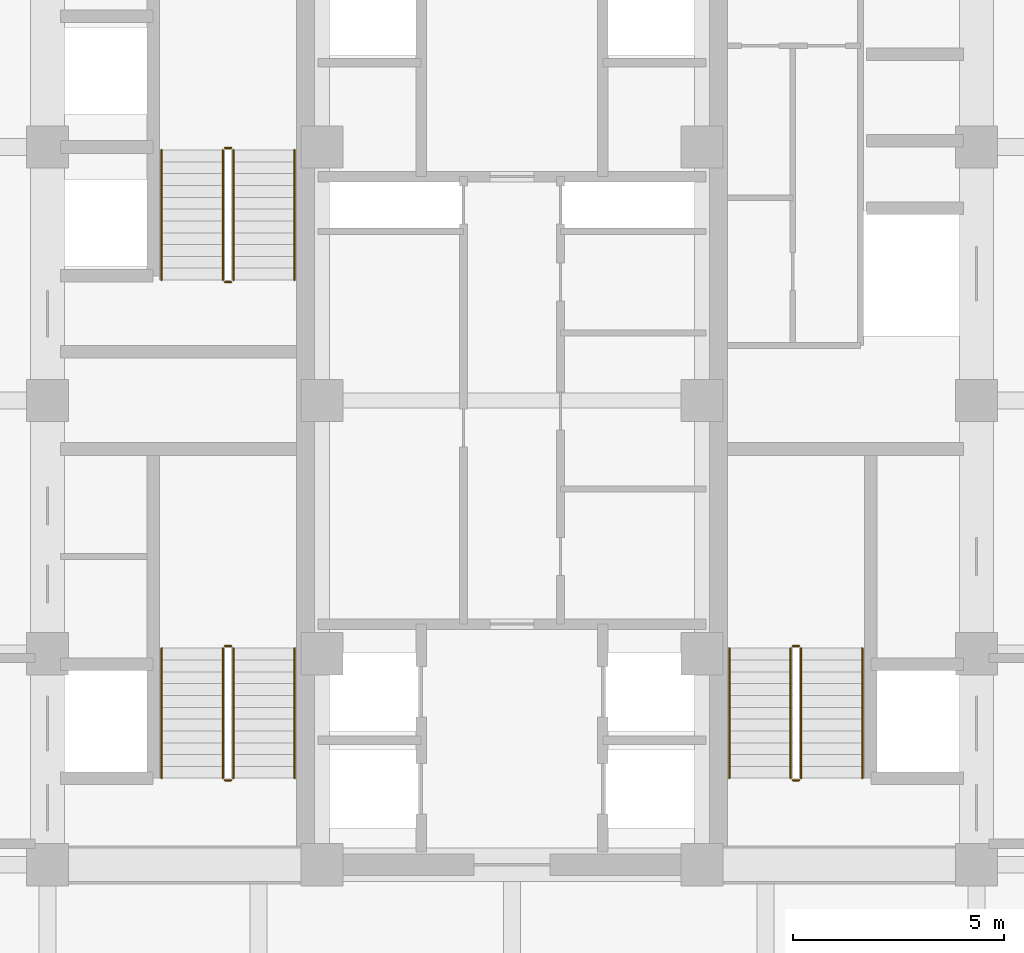
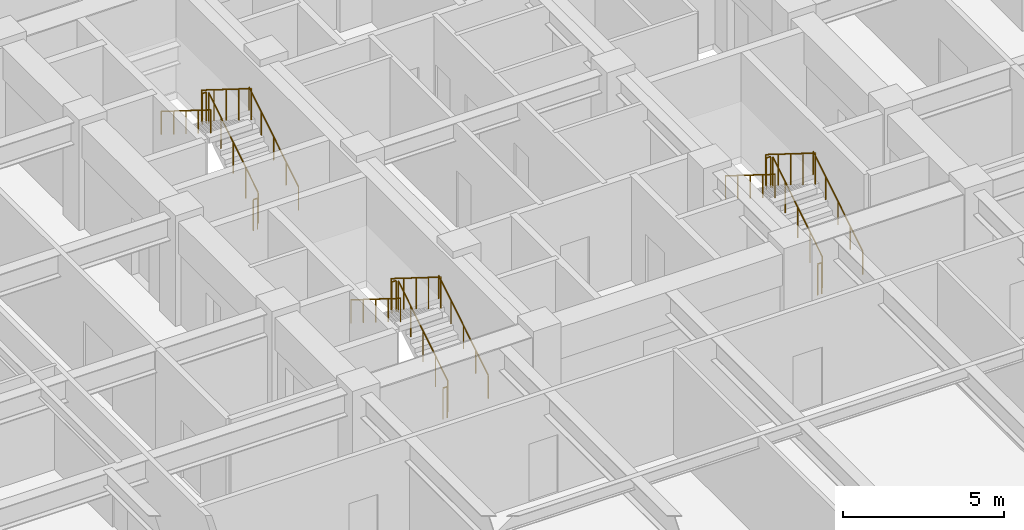
# One storey, part 27 of 27: 18 railings.
"""IFC4 building model written with IfcOpenShell, lengths in metres."""

from ifc_helpers import new_model, si_unit, direction, frame, origin, origin_2d, place, context, subcontext, project, spatial, circle, extrude, source, transform, mapped, material, type_object, element, save


model = new_model("IFC4")

# Units and contexts
model_context = context("Model", 3, precision=1e-05, world=origin(), true_north=direction((0.0, 1.0)))
body_context = subcontext(model_context, "Body", "Model", "MODEL_VIEW")
ifc_project = project(units=[si_unit("LENGTHUNIT", "METRE"), si_unit("AREAUNIT", "SQUARE_METRE"), si_unit("VOLUMEUNIT", "CUBIC_METRE"), si_unit("PLANEANGLEUNIT", "RADIAN"), si_unit("MASSUNIT", "GRAM", prefix="KILO")], contexts=[model_context])

# Site, building, storey
site_placement = place(None, origin())
site = spatial("IfcSite", under=ifc_project, at=site_placement, CompositionType="ELEMENT")
building_placement = place(site_placement, origin())
building = spatial("IfcBuilding", under=site, at=building_placement, Name="Khorayat Bourse Tower", CompositionType="ELEMENT")
storey_placement = place(building_placement, frame((0.0, 0.0, 45.199951171875)))
storey = spatial("IfcBuildingStorey", under=building, at=storey_placement, Name="L09", CompositionType="ELEMENT", Elevation=45.199951171875)

# Railings
ifc_material_1 = material(Name="Powder-coated steel balustrade", Category="steel")
railing_type_1 = type_object("IfcRailingType", Name="RLG-GUARD-1200", PredefinedType="GUARDRAIL", material=ifc_material_1)
shared_shape_1 = source(origin(), body_context, "Body", "SweptSolid", [
    extrude(circle(Radius=0.02392578125, at=origin_2d()), frame((0.0, 0.0, 1.17578125), z_axis=(-1.0, 0.0, 0.0), x_axis=(0.0, -1.0, 0.0)), (0.0, 0.0, 1.0), 0.150146484375),
    extrude(circle(Radius=0.02099609375, at=origin_2d()), origin(), (0.0, 0.0, 1.0), 1.15185546875),
    extrude(circle(Radius=0.02099609375, at=origin_2d()), frame((-0.150146484375, 0.0, 0.0)), (0.0, 0.0, 1.0), 1.15185546875),
])
for number, where, name in (
    (1, (-6.64990234375, -5.820068359375, 2.10009765625), "L09 ST-1 stair guard 2"),
    (2, (-6.64990234375, -9.0, 0.0), "L09 ST-1 stair guard 4"),
    (3, (-6.64990234375, 5.97998046875, 2.10009765625), "L09 ST-2 stair guard 2"),
    (4, (-6.64990234375, 2.800048828125, 0.0), "L09 ST-2 stair guard 4"),
    (5, (6.800048828125, -5.820068359375, 2.10009765625), "L09 ST-3 stair guard 2"),
    (6, (6.800048828125, -9.0, 0.0), "L09 ST-3 stair guard 4"),
):
    element("IfcRailing", number, at=place(storey_placement, frame(where)), inside=storey, type_object=railing_type_1, Name=name, PredefinedType="GUARDRAIL", context=body_context, shape_type="MappedRepresentation", body=[
        mapped(shared_shape_1, transform((0.0, 0.0, 0.0), scale=1.0)),
    ])
shared_shape_2 = source(origin(), body_context, "Body", "SweptSolid", [
    extrude(circle(Radius=0.02392578125, at=origin_2d()), frame((0.0, 0.0, 1.17578125), z_axis=(0.0, 0.847979421464, 0.530029150871), x_axis=(-1.0, 0.0, 0.0)), (0.0, 0.0, 1.0), 3.632080078125),
    extrude(circle(Radius=0.02099609375, at=origin_2d()), origin(), (0.0, 0.0, 1.0), 1.15185546875),
    extrude(circle(Radius=0.02099609375, at=origin_2d()), frame((0.0, 0.77001953125, 0.481201171875)), (0.0, 0.0, 1.0), 1.15185546875),
    extrude(circle(Radius=0.02099609375, at=origin_2d()), frame((0.0, 1.5400390625, 0.96240234375)), (0.0, 0.0, 1.0), 1.15185546875),
    extrude(circle(Radius=0.02099609375, at=origin_2d()), frame((0.0, 2.309814453125, 1.44384765625)), (0.0, 0.0, 1.0), 1.15185546875),
    extrude(circle(Radius=0.02099609375, at=origin_2d()), frame((0.0, 3.079833984375, 1.925048828125)), (0.0, 0.0, 1.0), 1.15185546875),
])
for number, where, name in (
    (7, (-6.60009765625, -8.949951171875, 0.175048828125), "L09 ST-1 stair guard 1"),
    (8, (-6.60009765625, 2.85009765625, 0.175048828125), "L09 ST-2 stair guard 1"),
    (9, (6.85009765625, -8.949951171875, 0.175048828125), "L09 ST-3 stair guard 1"),
):
    element("IfcRailing", number, at=place(storey_placement, frame(where)), inside=storey, type_object=railing_type_1, Name=name, PredefinedType="GUARDRAIL", context=body_context, shape_type="MappedRepresentation", body=[
        mapped(shared_shape_2, transform((0.0, 0.0, 0.0), scale=1.0)),
    ])
ifc_material_2 = material(Name="Brushed bronze stainless-steel handrail", Category="steel")
railing_type_2 = type_object("IfcRailingType", Name="RLG-HAND-900", PredefinedType="HANDRAIL", material=ifc_material_2)
shared_shape_3 = source(origin(), body_context, "Body", "SweptSolid", [
    extrude(circle(Radius=0.02392578125, at=origin_2d()), frame((0.0, 0.0, 0.8759765625), z_axis=(0.0, 0.847979421464, 0.530029150871), x_axis=(-1.0, 0.0, 0.0)), (0.0, 0.0, 1.0), 3.632080078125),
    extrude(circle(Radius=0.02099609375, at=origin_2d()), origin(), (0.0, 0.0, 1.0), 0.851806640625),
    extrude(circle(Radius=0.02099609375, at=origin_2d()), frame((0.0, 0.77001953125, 0.481201171875)), (0.0, 0.0, 1.0), 0.851806640625),
    extrude(circle(Radius=0.02099609375, at=origin_2d()), frame((0.0, 1.5400390625, 0.96240234375)), (0.0, 0.0, 1.0), 0.851806640625),
    extrude(circle(Radius=0.02099609375, at=origin_2d()), frame((0.0, 2.309814453125, 1.44384765625)), (0.0, 0.0, 1.0), 0.851806640625),
    extrude(circle(Radius=0.02099609375, at=origin_2d()), frame((0.0, 3.079833984375, 1.925048828125)), (0.0, 0.0, 1.0), 0.851806640625),
])
for number, where, name in (
    (10, (-5.14990234375, -8.949951171875, 0.175048828125), "L09 ST-1 stair handrail 1"),
    (11, (-5.14990234375, 2.85009765625, 0.175048828125), "L09 ST-2 stair handrail 1"),
    (12, (8.300048828125, -8.949951171875, 0.175048828125), "L09 ST-3 stair handrail 1"),
):
    element("IfcRailing", number, at=place(storey_placement, frame(where)), inside=storey, type_object=railing_type_2, Name=name, PredefinedType="HANDRAIL", context=body_context, shape_type="MappedRepresentation", body=[
        mapped(shared_shape_3, transform((0.0, 0.0, 0.0), scale=1.0)),
    ])
shared_shape_4 = source(origin(), body_context, "Body", "SweptSolid", [
    extrude(circle(Radius=0.02392578125, at=origin_2d()), frame((0.0, 0.0, 1.17578125), z_axis=(0.0, -0.848009633417, 0.529980812513), x_axis=(1.0, 0.0, 0.0)), (0.0, 0.0, 1.0), 3.6318359375),
    extrude(circle(Radius=0.02099609375, at=origin_2d()), origin(), (0.0, 0.0, 1.0), 1.15185546875),
    extrude(circle(Radius=0.02099609375, at=origin_2d()), frame((0.0, -0.77001953125, 0.481201171875)), (0.0, 0.0, 1.0), 1.15185546875),
    extrude(circle(Radius=0.02099609375, at=origin_2d()), frame((0.0, -1.5400390625, 0.96240234375)), (0.0, 0.0, 1.0), 1.15185546875),
    extrude(circle(Radius=0.02099609375, at=origin_2d()), frame((0.0, -2.309814453125, 1.443603515625)), (0.0, 0.0, 1.0), 1.15185546875),
    extrude(circle(Radius=0.02099609375, at=origin_2d()), frame((0.0, -3.079833984375, 1.9248046875)), (0.0, 0.0, 1.0), 1.15185546875),
])
for number, where, name in (
    (13, (-6.85009765625, -5.8701171875, 2.275146484375), "L09 ST-1 stair guard 3"),
    (14, (-6.85009765625, 5.929931640625, 2.275146484375), "L09 ST-2 stair guard 3"),
    (15, (6.60009765625, -5.8701171875, 2.275146484375), "L09 ST-3 stair guard 3"),
):
    element("IfcRailing", number, at=place(storey_placement, frame(where)), inside=storey, type_object=railing_type_1, Name=name, PredefinedType="GUARDRAIL", context=body_context, shape_type="MappedRepresentation", body=[
        mapped(shared_shape_4, transform((0.0, 0.0, 0.0), scale=1.0)),
    ])
shared_shape_5 = source(origin(), body_context, "Body", "SweptSolid", [
    extrude(circle(Radius=0.02392578125, at=origin_2d()), frame((0.0, 0.0, 0.8759765625), z_axis=(0.0, -0.848009633417, 0.529980812513), x_axis=(1.0, 0.0, 0.0)), (0.0, 0.0, 1.0), 3.6318359375),
    extrude(circle(Radius=0.02099609375, at=origin_2d()), origin(), (0.0, 0.0, 1.0), 0.851806640625),
    extrude(circle(Radius=0.02099609375, at=origin_2d()), frame((0.0, -0.77001953125, 0.481201171875)), (0.0, 0.0, 1.0), 0.851806640625),
    extrude(circle(Radius=0.02099609375, at=origin_2d()), frame((0.0, -1.5400390625, 0.96240234375)), (0.0, 0.0, 1.0), 0.851806640625),
    extrude(circle(Radius=0.02099609375, at=origin_2d()), frame((0.0, -2.309814453125, 1.443603515625)), (0.0, 0.0, 1.0), 0.851806640625),
    extrude(circle(Radius=0.02099609375, at=origin_2d()), frame((0.0, -3.079833984375, 1.9248046875)), (0.0, 0.0, 1.0), 0.851806640625),
])
for number, where, name in (
    (16, (-8.300048828125, -5.8701171875, 2.275146484375), "L09 ST-1 stair handrail 2"),
    (17, (-8.300048828125, 5.929931640625, 2.275146484375), "L09 ST-2 stair handrail 2"),
    (18, (5.14990234375, -5.8701171875, 2.275146484375), "L09 ST-3 stair handrail 2"),
):
    element("IfcRailing", number, at=place(storey_placement, frame(where)), inside=storey, type_object=railing_type_2, Name=name, PredefinedType="HANDRAIL", context=body_context, shape_type="MappedRepresentation", body=[
        mapped(shared_shape_5, transform((0.0, 0.0, 0.0), scale=1.0)),
    ])

save(model, "model.ifc")
